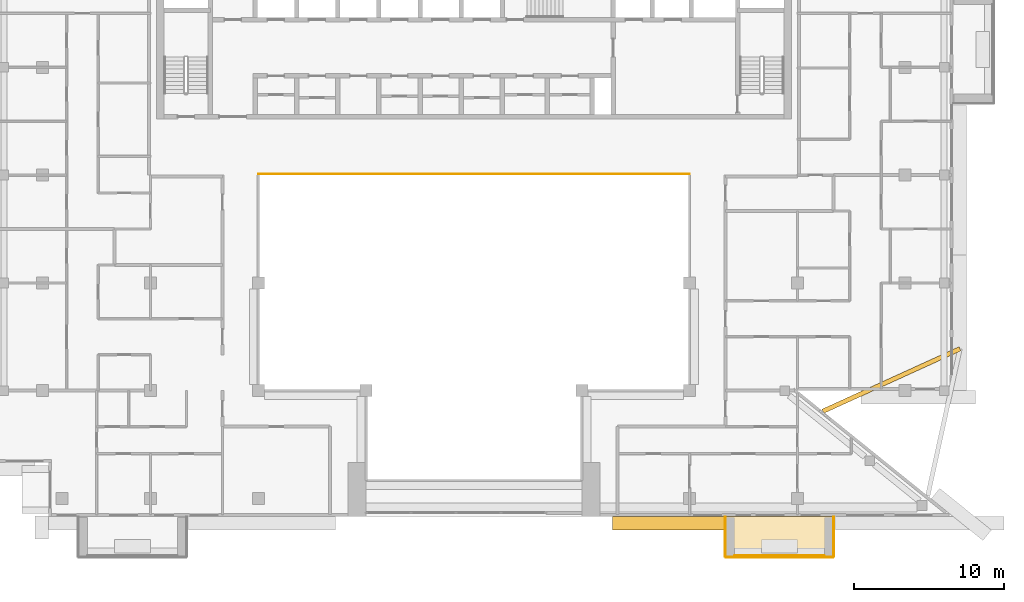
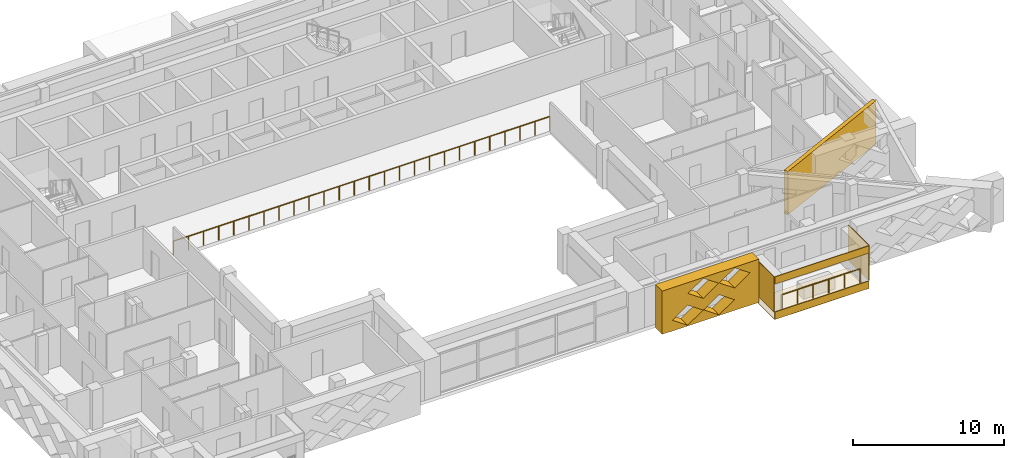
# One storey, part 15 of 19: 7 coverings, 2 railings.
"""IFC4 building model written with IfcOpenShell, lengths in metres."""

from ifc_helpers import new_model, si_unit, direction, frame, origin, origin_2d, place, context, subcontext, project, spatial, polyline, circle, outline, extrude, material, layer, layer_set, type_object, element, save


model = new_model("IFC4")

# Units and contexts
model_context = context("Model", 3, precision=1e-05, world=origin(), true_north=direction((0.0, 1.0)))
body_context = subcontext(model_context, "Body", "Model", "MODEL_VIEW")
ifc_project = project(units=[si_unit("LENGTHUNIT", "METRE"), si_unit("AREAUNIT", "SQUARE_METRE"), si_unit("VOLUMEUNIT", "CUBIC_METRE"), si_unit("PLANEANGLEUNIT", "RADIAN"), si_unit("MASSUNIT", "GRAM", prefix="KILO")], contexts=[model_context])

# Site, building, storey
site_placement = place(None, origin())
site = spatial("IfcSite", under=ifc_project, at=site_placement, CompositionType="ELEMENT")
building_placement = place(site_placement, origin())
building = spatial("IfcBuilding", under=site, at=building_placement, Name="Saffron Iwan Residences", CompositionType="ELEMENT")
storey_placement = place(building_placement, frame((0.0, 0.0, 236.0)))
storey = spatial("IfcBuildingStorey", under=building, at=storey_placement, Name="L63", CompositionType="ELEMENT", Elevation=236.0)

# Railings
ifc_material_1 = material(Name="Stainless steel 316", Category="steel")
railing_type_1 = type_object("IfcRailingType", Name="Atrium guard 1150", PredefinedType="GUARDRAIL", material=ifc_material_1)
railing_1_placement = place(storey_placement, frame((36.0, 62.47509765625, 0.0)))
element("IfcRailing", 1, at=railing_1_placement, inside=storey, type_object=railing_type_1, Name="Atrium guard L63", PredefinedType="GUARDRAIL", context=body_context, shape_type="SweptSolid", body=[
    extrude(circle(Radius=0.02392578125, at=origin_2d()), frame((0.0, 0.0, 1.1259765625), z_axis=(1.0, 0.0, 0.0), x_axis=(0.0, 1.0, 0.0)), (0.0, 0.0, 1.0), 28.800048828125),
    extrude(circle(Radius=0.02099609375, at=origin_2d()), origin(), (0.0, 0.0, 1.0), 1.101806640625),
    extrude(circle(Radius=0.02099609375, at=origin_2d()), frame((1.152099609375, 0.0, 0.0)), (0.0, 0.0, 1.0), 1.101806640625),
    extrude(circle(Radius=0.02099609375, at=origin_2d()), frame((2.303955078125, 0.0, 0.0)), (0.0, 0.0, 1.0), 1.101806640625),
    extrude(circle(Radius=0.02099609375, at=origin_2d()), frame((3.4560546875, 0.0, 0.0)), (0.0, 0.0, 1.0), 1.101806640625),
    extrude(circle(Radius=0.02099609375, at=origin_2d()), frame((4.60791015625, 0.0, 0.0)), (0.0, 0.0, 1.0), 1.101806640625),
    extrude(circle(Radius=0.02099609375, at=origin_2d()), frame((5.760009765625, 0.0, 0.0)), (0.0, 0.0, 1.0), 1.101806640625),
    extrude(circle(Radius=0.02099609375, at=origin_2d()), frame((6.912109375, 0.0, 0.0)), (0.0, 0.0, 1.0), 1.101806640625),
    extrude(circle(Radius=0.02099609375, at=origin_2d()), frame((8.06396484375, 0.0, 0.0)), (0.0, 0.0, 1.0), 1.101806640625),
    extrude(circle(Radius=0.02099609375, at=origin_2d()), frame((9.216064453125, 0.0, 0.0)), (0.0, 0.0, 1.0), 1.101806640625),
    extrude(circle(Radius=0.02099609375, at=origin_2d()), frame((10.367919921875, 0.0, 0.0)), (0.0, 0.0, 1.0), 1.101806640625),
    extrude(circle(Radius=0.02099609375, at=origin_2d()), frame((11.52001953125, 0.0, 0.0)), (0.0, 0.0, 1.0), 1.101806640625),
    extrude(circle(Radius=0.02099609375, at=origin_2d()), frame((12.672119140625, 0.0, 0.0)), (0.0, 0.0, 1.0), 1.101806640625),
    extrude(circle(Radius=0.02099609375, at=origin_2d()), frame((13.823974609375, 0.0, 0.0)), (0.0, 0.0, 1.0), 1.101806640625),
    extrude(circle(Radius=0.02099609375, at=origin_2d()), frame((14.97607421875, 0.0, 0.0)), (0.0, 0.0, 1.0), 1.101806640625),
    extrude(circle(Radius=0.02099609375, at=origin_2d()), frame((16.1279296875, 0.0, 0.0)), (0.0, 0.0, 1.0), 1.101806640625),
    extrude(circle(Radius=0.02099609375, at=origin_2d()), frame((17.280029296875, 0.0, 0.0)), (0.0, 0.0, 1.0), 1.101806640625),
    extrude(circle(Radius=0.02099609375, at=origin_2d()), frame((18.43212890625, 0.0, 0.0)), (0.0, 0.0, 1.0), 1.101806640625),
    extrude(circle(Radius=0.02099609375, at=origin_2d()), frame((19.583984375, 0.0, 0.0)), (0.0, 0.0, 1.0), 1.101806640625),
    extrude(circle(Radius=0.02099609375, at=origin_2d()), frame((20.736083984375, 0.0, 0.0)), (0.0, 0.0, 1.0), 1.101806640625),
    extrude(circle(Radius=0.02099609375, at=origin_2d()), frame((21.887939453125, 0.0, 0.0)), (0.0, 0.0, 1.0), 1.101806640625),
    extrude(circle(Radius=0.02099609375, at=origin_2d()), frame((23.0400390625, 0.0, 0.0)), (0.0, 0.0, 1.0), 1.101806640625),
    extrude(circle(Radius=0.02099609375, at=origin_2d()), frame((24.192138671875, 0.0, 0.0)), (0.0, 0.0, 1.0), 1.101806640625),
    extrude(circle(Radius=0.02099609375, at=origin_2d()), frame((25.343994140625, 0.0, 0.0)), (0.0, 0.0, 1.0), 1.101806640625),
    extrude(circle(Radius=0.02099609375, at=origin_2d()), frame((26.49609375, 0.0, 0.0)), (0.0, 0.0, 1.0), 1.101806640625),
    extrude(circle(Radius=0.02099609375, at=origin_2d()), frame((27.64794921875, 0.0, 0.0)), (0.0, 0.0, 1.0), 1.101806640625),
    extrude(circle(Radius=0.02099609375, at=origin_2d()), frame((28.800048828125, 0.0, 0.0)), (0.0, 0.0, 1.0), 1.101806640625),
])
railing_type_2 = type_object("IfcRailingType", Name="BALCONY GUARD 1150", PredefinedType="GUARDRAIL", material=ifc_material_1)
railing_2_placement = place(storey_placement, frame((67.800048828125, 36.97509765625, 0.0)))
element("IfcRailing", 2, at=railing_2_placement, inside=storey, type_object=railing_type_2, Name="Balcony guard L63 11-1", PredefinedType="GUARDRAIL", context=body_context, shape_type="SweptSolid", body=[
    extrude(circle(Radius=0.02392578125, at=origin_2d()), frame((0.0, 0.0, 1.1259765625), z_axis=(1.0, 0.0, 0.0), x_axis=(0.0, 1.0, 0.0)), (0.0, 0.0, 1.0), 6.0),
    extrude(circle(Radius=0.02099609375, at=origin_2d()), origin(), (0.0, 0.0, 1.0), 1.101806640625),
    extrude(circle(Radius=0.02099609375, at=origin_2d()), frame((1.199951171875, 0.0, 0.0)), (0.0, 0.0, 1.0), 1.101806640625),
    extrude(circle(Radius=0.02099609375, at=origin_2d()), frame((2.39990234375, 0.0, 0.0)), (0.0, 0.0, 1.0), 1.101806640625),
    extrude(circle(Radius=0.02099609375, at=origin_2d()), frame((3.60009765625, 0.0, 0.0)), (0.0, 0.0, 1.0), 1.101806640625),
    extrude(circle(Radius=0.02099609375, at=origin_2d()), frame((4.800048828125, 0.0, 0.0)), (0.0, 0.0, 1.0), 1.101806640625),
    extrude(circle(Radius=0.02099609375, at=origin_2d()), frame((6.0, 0.0, 0.0)), (0.0, 0.0, 1.0), 1.101806640625),
])

# Coverings
ifc_material_2 = material(Name="Precast concrete C40/50 white painted", Category="concrete")
ifc_layer_1 = layer(ifc_material_2, 0.050048828125)
ifc_layer_set_1 = layer_set([ifc_layer_1], Name="Precast concrete C40/50 white painted")
covering_type_1 = type_object("IfcCoveringType", Name="FRAME SKIN PRECAST WHITE 50", PredefinedType="CLADDING", material=ifc_layer_set_1)
for number, where, name in (
    (3, (0.0, 0.0, -0.60009765625), "Frame skin slab edge L63 11-1"),
    (4, (0.0, 0.0, 2.25), "Frame skin fascia L63 11-1"),
):
    element("IfcCovering", number, at=place(storey_placement, frame(where)), inside=storey, type_object=covering_type_1, Name=name, PredefinedType="CLADDING", context=body_context, shape_type="SweptSolid", body=[
        extrude(outline(polyline([(67.199951171875, 36.85009765625), (74.39990234375, 36.85009765625), (74.39990234375, 36.89990234375), (67.199951171875, 36.89990234375), (67.199951171875, 36.85009765625)])), origin(), (0.0, 0.0, 1.0), 0.60009765625),
    ])
covering_1_placement = place(storey_placement, frame((0.0, 0.0, -0.64990234375)))
element("IfcCovering", 5, at=covering_1_placement, inside=storey, type_object=covering_type_1, Name="Frame skin soffit L63 11-1", PredefinedType="CLADDING", context=body_context, shape_type="SweptSolid", body=[
    extrude(outline(polyline([(67.199951171875, 36.89990234375), (74.39990234375, 36.89990234375), (74.39990234375, 39.60009765625), (67.199951171875, 39.60009765625), (67.199951171875, 36.89990234375)])), origin(), (0.0, 0.0, 1.0), 0.0498046875),
])
covering_2_placement = place(storey_placement, origin())
element("IfcCovering", 6, at=covering_2_placement, inside=storey, type_object=covering_type_1, Name="Frame skin fin L63 11-1a", PredefinedType="CLADDING", context=body_context, shape_type="SweptSolid", body=[
    extrude(outline(polyline([(67.14990234375, 36.89990234375), (67.199951171875, 36.89990234375), (67.199951171875, 39.60009765625), (67.14990234375, 39.60009765625), (67.14990234375, 36.89990234375)])), origin(), (0.0, 0.0, 1.0), 2.85009765625),
])
covering_3_placement = place(storey_placement, origin())
element("IfcCovering", 7, at=covering_3_placement, inside=storey, type_object=covering_type_1, Name="Frame skin fin L63 11-1b", PredefinedType="CLADDING", context=body_context, shape_type="SweptSolid", body=[
    extrude(outline(polyline([(74.39990234375, 36.89990234375), (74.449951171875, 36.89990234375), (74.449951171875, 39.60009765625), (74.39990234375, 39.60009765625), (74.39990234375, 36.89990234375)])), origin(), (0.0, 0.0, 1.0), 2.85009765625),
])
ifc_material_3 = material(Name="Precast concrete C40/50", Category="concrete")
covering_type_2 = type_object("IfcCoveringType", Name="OUTER SKIN LATTICE SCREEN", PredefinedType="CLADDING", material=ifc_material_3)
covering_4_placement = place(storey_placement, frame((59.64990234375, 39.60009765625, -0.280029296875), z_axis=(0.0, -1.0, 0.0), x_axis=(1.0, 0.0, 0.0)))
element("IfcCovering", 8, at=covering_4_placement, inside=storey, type_object=covering_type_2, Name="OUTER SKIN lattice screen L63 F11.2", PredefinedType="CLADDING", context=body_context, shape_type="SweptSolid", body=[
    extrude(outline(polyline([(0.0, 0.0), (7.39990234375, 0.0), (7.39990234375, 3.5), (0.0, 3.5), (0.0, 0.0)]), holes=[polyline([(0.77001953125, 0.875), (1.949951171875, 0.06005859375), (3.1298828125, 0.875), (1.949951171875, 1.68994140625), (0.77001953125, 0.875)]), polyline([(3.169921875, 0.875), (4.35009765625, 0.06005859375), (5.530029296875, 0.875), (4.35009765625, 1.68994140625), (3.169921875, 0.875)]), polyline([(1.969970703125, 2.625), (3.14990234375, 1.81005859375), (4.330078125, 2.625), (3.14990234375, 3.43994140625), (1.969970703125, 2.625)]), polyline([(4.3701171875, 2.625), (5.550048828125, 1.81005859375), (6.72998046875, 2.625), (5.550048828125, 3.43994140625), (4.3701171875, 2.625)])]), origin(), (0.0, 0.0, 1.0), 0.900146484375),
])
ifc_layer_2 = layer(ifc_material_2, 0.300048828125)
ifc_layer_set_2 = layer_set([ifc_layer_2], Name="Precast concrete C40/50 white painted")
covering_type_3 = type_object("IfcCoveringType", Name="PROW NOSE BLADE PRECAST WHITE", PredefinedType="CLADDING", material=ifc_layer_set_2)
covering_5_placement = place(storey_placement, frame((0.0, 0.0, -0.280029296875)))
element("IfcCovering", 9, at=covering_5_placement, inside=storey, type_object=covering_type_3, Name="Prow nose blade L63 b", PredefinedType="CLADDING", context=body_context, shape_type="SweptSolid", body=[
    extrude(outline(polyline([(73.761474609375, 46.490966796875), (82.917236328125, 50.6650390625), (82.792724609375, 50.93798828125), (73.636962890625, 46.763916015625), (73.761474609375, 46.490966796875)])), origin(), (0.0, 0.0, 1.0), 3.5),
])

save(model, "model.ifc")
